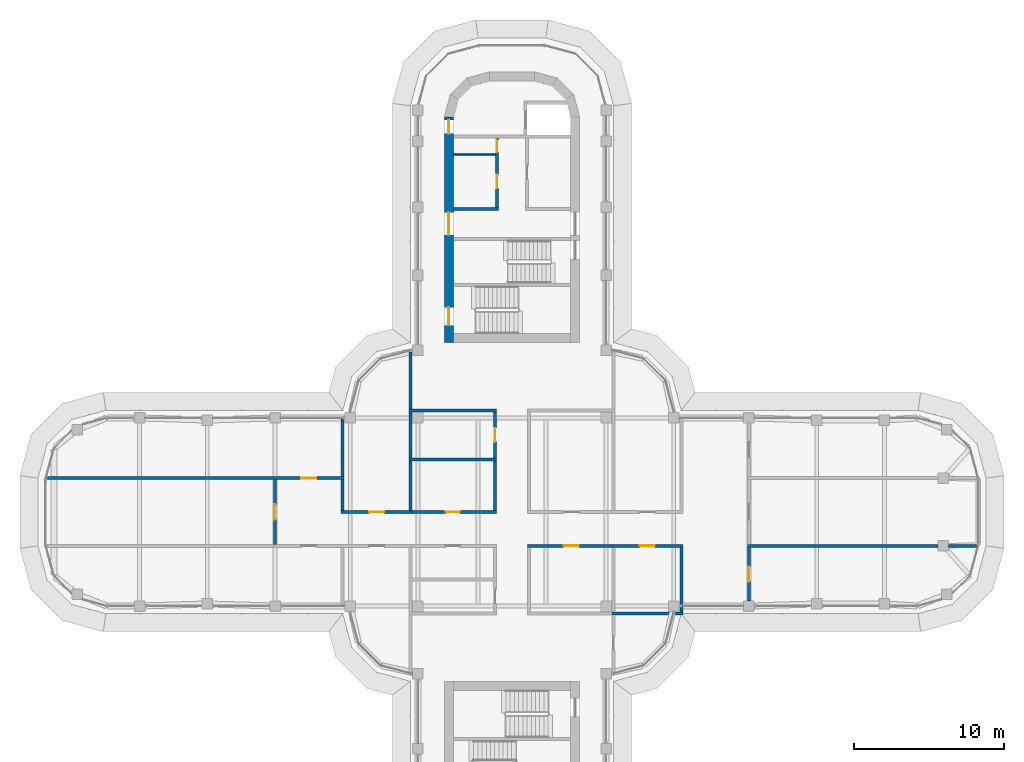
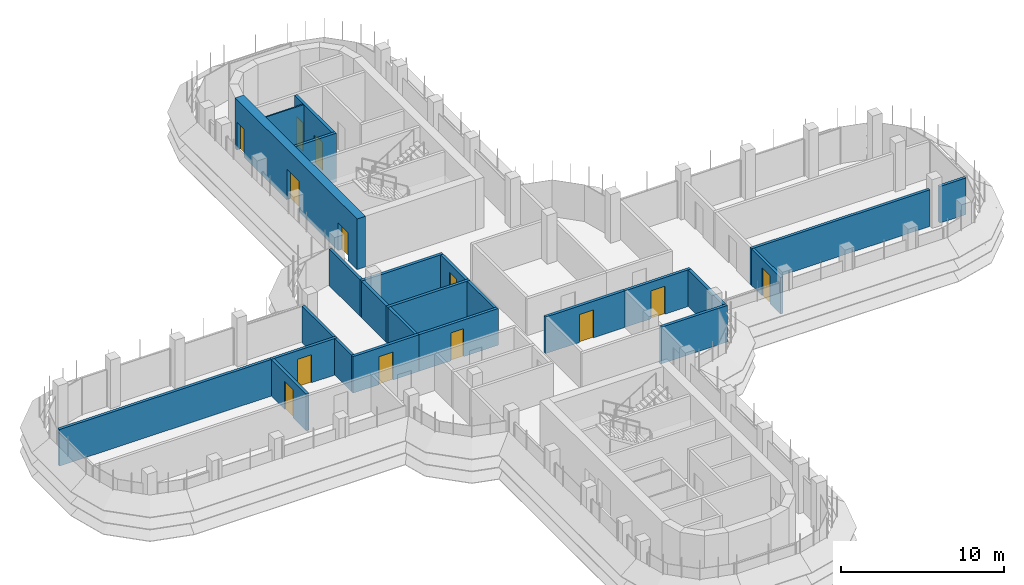
# One storey, part 14 of 19: 25 walls, 13 doors, 13 openings.
"""IFC4 building model written with IfcOpenShell, lengths in metres."""

from ifc_helpers import new_model, si_unit, direction, frame, frame_2d, origin, place, context, subcontext, project, spatial, rectangle, extrude, material, layer, layer_set, type_object, element, fill, save


model = new_model("IFC4")

# Units and contexts
model_context = context("Model", 3, precision=1e-05, world=origin(), true_north=direction((0.0, 1.0)))
body_context = subcontext(model_context, "Body", "Model", "MODEL_VIEW")
ifc_project = project(units=[si_unit("LENGTHUNIT", "METRE"), si_unit("AREAUNIT", "SQUARE_METRE"), si_unit("VOLUMEUNIT", "CUBIC_METRE"), si_unit("PLANEANGLEUNIT", "RADIAN"), si_unit("MASSUNIT", "GRAM", prefix="KILO")], contexts=[model_context])

# Site, building, storey
site_placement = place(None, origin())
site = spatial("IfcSite", under=ifc_project, at=site_placement, CompositionType="ELEMENT")
building_placement = place(site_placement, origin())
building = spatial("IfcBuilding", under=site, at=building_placement, Name="Zarbagh Exchange Tower", CompositionType="ELEMENT")
storey_placement = place(building_placement, frame((0.0, 0.0, 195.39990234375)))
storey = spatial("IfcBuildingStorey", under=building, at=storey_placement, Name="L47", CompositionType="ELEMENT", Elevation=195.39990234375)

# Wall
ifc_material_1 = material(Name="Dense blockwork", Category="masonry")
ifc_layer_1 = layer(ifc_material_1, 0.10009765625)
ifc_layer_set_1 = layer_set([ifc_layer_1], Name="Core partition 100 mm blockwork")
wall_type_1 = type_object("IfcWallType", Name="Core partition 100 mm blockwork", PredefinedType="PARTITIONING", material=ifc_layer_set_1)
wall_1_placement = place(storey_placement, frame((-3.89990234375, 23.75, 0.0), z_axis=(0.0, 0.0, 1.0), x_axis=(1.0, 0.0, 0.0)))
element("IfcWall", 1, at=wall_1_placement, inside=storey, type_object=wall_type_1, Name="North core partition wall CUT-W-460", PredefinedType="PARTITIONING", context=body_context, shape_type="SweptSolid", body=[
    extrude(rectangle(XDim=2.7998046875, YDim=0.10009765625, at=frame_2d((1.39990234375, 0.0))), origin(), (0.0, 0.0, 1.0), 3.650146484375),
])

# Wall, opening, door
ifc_material_2 = material(Name="Fire-rated plasterboard partition")
ifc_layer_2 = layer(ifc_material_2, 0.199951171875)
ifc_layer_set_2 = layer_set([ifc_layer_2], Name="RATED PARTITION 200")
wall_type_2 = type_object("IfcWallType", Name="RATED PARTITION 200", PredefinedType="PARTITIONING", material=ifc_layer_set_2)
wall_2_placement = place(storey_placement, frame((-6.85009765625, 0.0, 0.0), z_axis=(0.0, 0.0, 1.0), x_axis=(1.0, 0.0, 0.0)))
wall_2 = element("IfcWall", 2, at=wall_2_placement, inside=storey, type_object=wall_type_2, Name="Partition W-2103", PredefinedType="PARTITIONING", context=body_context, shape_type="SweptSolid", body=[
    extrude(rectangle(XDim=5.8251953125, YDim=0.199951171875, at=frame_2d((2.91259765625, 0.0))), origin(), (0.0, 0.0, 1.0), 2.75),
])
opening_1_placement = place(wall_2_placement, frame((2.46240234375, 0.0, 0.0)))
opening_1 = element("IfcOpeningElement", 3, at=opening_1_placement, cuts=wall_2, Name="Opening D-2106", PredefinedType="OPENING", context=body_context, shape_type="SweptSolid", body=[
    extrude(rectangle(XDim=0.89990234375, YDim=2.10009765625, at=frame_2d((0.449951171875, 1.050048828125))), frame((0.0, 0.10986328125, 0.0), z_axis=(0.0, -1.0, 0.0), x_axis=(1.0, 0.0, 0.0)), (0.0, 0.0, 1.0), 0.219970703125),
])
ifc_material_3 = material(Name="Timber door leaf", Category="wood")
door_type_1 = type_object("IfcDoorType", Name="DOOR 900 X 2100", OperationType="NOTDEFINED", PredefinedType="DOOR", material=ifc_material_3)
door_1_placement = place(opening_1_placement, origin())
door_1 = element("IfcDoor", 4, at=door_1_placement, inside=storey, type_object=door_type_1, Name="Door D-2106", OperationType="SINGLE_SWING_RIGHT", OverallHeight=2.10009765625, OverallWidth=0.89990234375, PredefinedType="DOOR", context=body_context, shape_type="SweptSolid", body=[
    extrude(rectangle(XDim=0.89990234375, YDim=2.10009765625, at=frame_2d((0.449951171875, 1.050048828125))), frame((0.0, 0.02490234375, 0.0), z_axis=(0.0, -1.0, 0.0), x_axis=(1.0, 0.0, 0.0)), (0.0, 0.0, 1.0), 0.050048828125),
])
fill(opening_1, door_1)

wall_3_placement = place(storey_placement, frame((-11.35009765625, 0.0, 0.0), z_axis=(0.0, 0.0, 1.0), x_axis=(1.0, 0.0, 0.0)))
wall_3 = element("IfcWall", 5, at=wall_3_placement, inside=storey, type_object=wall_type_2, Name="Partition W-2104", PredefinedType="PARTITIONING", context=body_context, shape_type="SweptSolid", body=[
    extrude(rectangle(XDim=4.7001953125, YDim=0.199951171875, at=frame_2d((2.35009765625, 0.0))), origin(), (0.0, 0.0, 1.0), 2.75),
])
opening_2_placement = place(wall_3_placement, frame((1.85009765625, 0.0, 0.0)))
opening_2 = element("IfcOpeningElement", 6, at=opening_2_placement, cuts=wall_3, Name="Opening D-2108", PredefinedType="OPENING", context=body_context, shape_type="SweptSolid", body=[
    extrude(rectangle(XDim=1.0, YDim=2.10009765625, at=frame_2d((0.5, 1.050048828125))), frame((0.0, 0.10986328125, 0.0), z_axis=(0.0, -1.0, 0.0), x_axis=(1.0, 0.0, 0.0)), (0.0, 0.0, 1.0), 0.219970703125),
])
ifc_material_4 = material(Name="Steel door set", Category="steel")
door_type_2 = type_object("IfcDoorType", Name="FIRE DOOR 1000 X 2100 FD30S", OperationType="NOTDEFINED", PredefinedType="DOOR", material=ifc_material_4)
door_2_placement = place(opening_2_placement, origin())
door_2 = element("IfcDoor", 7, at=door_2_placement, inside=storey, type_object=door_type_2, Name="Door D-2108", OperationType="SINGLE_SWING_RIGHT", OverallHeight=2.10009765625, OverallWidth=1.0, PredefinedType="DOOR", context=body_context, shape_type="SweptSolid", body=[
    extrude(rectangle(XDim=1.0, YDim=2.10009765625, at=frame_2d((0.5, 1.050048828125))), frame((0.0, 0.02490234375, 0.0), z_axis=(0.0, -1.0, 0.0), x_axis=(1.0, 0.0, 0.0)), (0.0, 0.0, 1.0), 0.050048828125),
])
fill(opening_2, door_2)

wall_4_placement = place(storey_placement, frame((6.85009765625, -2.25, 0.0), z_axis=(0.0, 0.0, 1.0), x_axis=(-1.0, 0.0, 0.0)))
wall_4 = element("IfcWall", 8, at=wall_4_placement, inside=storey, type_object=wall_type_2, Name="Partition W-2105", PredefinedType="PARTITIONING", context=body_context, shape_type="SweptSolid", body=[
    extrude(rectangle(XDim=5.8251953125, YDim=0.199951171875, at=frame_2d((2.91259765625, 0.0))), origin(), (0.0, 0.0, 1.0), 2.75),
])
opening_3_placement = place(wall_4_placement, frame((2.41259765625, 0.0, 0.0)))
opening_3 = element("IfcOpeningElement", 9, at=opening_3_placement, cuts=wall_4, Name="Opening D-2109", PredefinedType="OPENING", context=body_context, shape_type="SweptSolid", body=[
    extrude(rectangle(XDim=1.0, YDim=2.10009765625, at=frame_2d((0.5, 1.050048828125))), frame((0.0, 0.10986328125, 0.0), z_axis=(0.0, -1.0, 0.0), x_axis=(1.0, 0.0, 0.0)), (0.0, 0.0, 1.0), 0.219970703125),
])
door_3_placement = place(opening_3_placement, origin())
door_3 = element("IfcDoor", 10, at=door_3_placement, inside=storey, type_object=door_type_2, Name="Door D-2109", OperationType="SINGLE_SWING_RIGHT", OverallHeight=2.10009765625, OverallWidth=1.0, PredefinedType="DOOR", context=body_context, shape_type="SweptSolid", body=[
    extrude(rectangle(XDim=1.0, YDim=2.10009765625, at=frame_2d((0.5, 1.050048828125))), frame((0.0, 0.02490234375, 0.0), z_axis=(0.0, -1.0, 0.0), x_axis=(1.0, 0.0, 0.0)), (0.0, 0.0, 1.0), 0.050048828125),
])
fill(opening_3, door_3)

wall_5_placement = place(storey_placement, frame((11.35009765625, -2.25, 0.0), z_axis=(0.0, 0.0, 1.0), x_axis=(-1.0, 0.0, 0.0)))
wall_5 = element("IfcWall", 11, at=wall_5_placement, inside=storey, type_object=wall_type_2, Name="Partition W-2106", PredefinedType="PARTITIONING", context=body_context, shape_type="SweptSolid", body=[
    extrude(rectangle(XDim=4.7001953125, YDim=0.199951171875, at=frame_2d((2.35009765625, 0.0))), origin(), (0.0, 0.0, 1.0), 2.75),
])
opening_4_placement = place(wall_5_placement, frame((1.85009765625, 0.0, 0.0)))
opening_4 = element("IfcOpeningElement", 12, at=opening_4_placement, cuts=wall_5, Name="Opening D-2110", PredefinedType="OPENING", context=body_context, shape_type="SweptSolid", body=[
    extrude(rectangle(XDim=1.0, YDim=2.10009765625, at=frame_2d((0.5, 1.050048828125))), frame((0.0, 0.10986328125, 0.0), z_axis=(0.0, -1.0, 0.0), x_axis=(1.0, 0.0, 0.0)), (0.0, 0.0, 1.0), 0.219970703125),
])
door_4_placement = place(opening_4_placement, origin())
door_4 = element("IfcDoor", 13, at=door_4_placement, inside=storey, type_object=door_type_2, Name="Door D-2110", OperationType="SINGLE_SWING_RIGHT", OverallHeight=2.10009765625, OverallWidth=1.0, PredefinedType="DOOR", context=body_context, shape_type="SweptSolid", body=[
    extrude(rectangle(XDim=1.0, YDim=2.10009765625, at=frame_2d((0.5, 1.050048828125))), frame((0.0, 0.02490234375, 0.0), z_axis=(0.0, -1.0, 0.0), x_axis=(1.0, 0.0, 0.0)), (0.0, 0.0, 1.0), 0.050048828125),
])
fill(opening_4, door_4)

# Wall
wall_6_placement = place(storey_placement, frame((-1.125, 0.10009765625, 0.0), z_axis=(0.0, 0.0, 1.0), x_axis=(0.0, 1.0, 0.0)))
element("IfcWall", 14, at=wall_6_placement, inside=storey, type_object=wall_type_2, Name="Partition W-2110", PredefinedType="PARTITIONING", context=body_context, shape_type="SweptSolid", body=[
    extrude(rectangle(XDim=3.2998046875, YDim=0.199951171875, at=frame_2d((1.64990234375, 0.0))), origin(), (0.0, 0.0, 1.0), 2.75),
])

# Wall, opening, door
wall_7_placement = place(storey_placement, frame((-1.125, 3.60009765625, 0.0), z_axis=(0.0, 0.0, 1.0), x_axis=(0.0, 1.0, 0.0)))
wall_7 = element("IfcWall", 15, at=wall_7_placement, inside=storey, type_object=wall_type_2, Name="Partition W-2111", PredefinedType="PARTITIONING", context=body_context, shape_type="SweptSolid", body=[
    extrude(rectangle(XDim=3.0498046875, YDim=0.199951171875, at=frame_2d((1.52490234375, 0.0))), origin(), (0.0, 0.0, 1.0), 2.75),
])
opening_5_placement = place(wall_7_placement, frame((1.074951171875, 0.0, 0.0)))
opening_5 = element("IfcOpeningElement", 16, at=opening_5_placement, cuts=wall_7, Name="Opening D-2107", PredefinedType="OPENING", context=body_context, shape_type="SweptSolid", body=[
    extrude(rectangle(XDim=0.89990234375, YDim=2.10009765625, at=frame_2d((0.449951171875, 1.050048828125))), frame((0.0, 0.10986328125, 0.0), z_axis=(0.0, -1.0, 0.0), x_axis=(1.0, 0.0, 0.0)), (0.0, 0.0, 1.0), 0.219970703125),
])
door_5_placement = place(opening_5_placement, origin())
door_5 = element("IfcDoor", 17, at=door_5_placement, inside=storey, type_object=door_type_1, Name="Door D-2107", OperationType="SINGLE_SWING_LEFT", OverallHeight=2.10009765625, OverallWidth=0.89990234375, PredefinedType="DOOR", context=body_context, shape_type="SweptSolid", body=[
    extrude(rectangle(XDim=0.89990234375, YDim=2.10009765625, at=frame_2d((0.449951171875, 1.050048828125))), frame((0.0, 0.02490234375, 0.0), z_axis=(0.0, -1.0, 0.0), x_axis=(1.0, 0.0, 0.0)), (0.0, 0.0, 1.0), 0.050048828125),
])
fill(opening_5, door_5)

# Walls
wall_8_placement = place(storey_placement, frame((-6.85009765625, 6.75, 0.0), z_axis=(0.0, 0.0, 1.0), x_axis=(1.0, 0.0, 0.0)))
element("IfcWall", 18, at=wall_8_placement, inside=storey, type_object=wall_type_2, Name="Partition W-2117", PredefinedType="PARTITIONING", context=body_context, shape_type="SweptSolid", body=[
    extrude(rectangle(XDim=5.8251953125, YDim=0.199951171875, at=frame_2d((2.91259765625, 0.0))), origin(), (0.0, 0.0, 1.0), 2.75),
])
wall_9_placement = place(storey_placement, frame((-6.75, 6.85009765625, 0.0), z_axis=(0.0, 0.0, 1.0), x_axis=(0.0, 1.0, 0.0)))
element("IfcWall", 19, at=wall_9_placement, inside=storey, type_object=wall_type_2, Name="Partition W-2118", PredefinedType="PARTITIONING", context=body_context, shape_type="SweptSolid", body=[
    extrude(rectangle(XDim=3.77978515625, YDim=0.199951171875, at=frame_2d((1.889892578125, 0.0))), origin(), (0.0, 0.0, 1.0), 2.75),
])
wall_10_placement = place(storey_placement, frame((-6.85009765625, 3.5, 0.0), z_axis=(0.0, 0.0, 1.0), x_axis=(1.0, 0.0, 0.0)))
element("IfcWall", 20, at=wall_10_placement, inside=storey, type_object=wall_type_2, Name="Partition W-2125", PredefinedType="PARTITIONING", context=body_context, shape_type="SweptSolid", body=[
    extrude(rectangle(XDim=5.8251953125, YDim=0.199951171875, at=frame_2d((2.91259765625, 0.0))), origin(), (0.0, 0.0, 1.0), 2.75),
])
wall_11_placement = place(storey_placement, frame((-6.75, 0.10009765625, 0.0), z_axis=(0.0, 0.0, 1.0), x_axis=(0.0, 1.0, 0.0)))
element("IfcWall", 21, at=wall_11_placement, inside=storey, type_object=wall_type_2, Name="Partition W-2126", PredefinedType="PARTITIONING", context=body_context, shape_type="SweptSolid", body=[
    extrude(rectangle(XDim=3.2998046875, YDim=0.199951171875, at=frame_2d((1.64990234375, 0.0))), origin(), (0.0, 0.0, 1.0), 2.75),
])
wall_12_placement = place(storey_placement, frame((-6.75, 3.60009765625, 0.0), z_axis=(0.0, 0.0, 1.0), x_axis=(0.0, 1.0, 0.0)))
element("IfcWall", 22, at=wall_12_placement, inside=storey, type_object=wall_type_2, Name="Partition W-2127", PredefinedType="PARTITIONING", context=body_context, shape_type="SweptSolid", body=[
    extrude(rectangle(XDim=3.0498046875, YDim=0.199951171875, at=frame_2d((1.52490234375, 0.0))), origin(), (0.0, 0.0, 1.0), 2.75),
])
wall_13_placement = place(storey_placement, frame((-11.25, 0.10009765625, 0.0), z_axis=(0.0, 0.0, 1.0), x_axis=(0.0, 1.0, 0.0)))
element("IfcWall", 23, at=wall_13_placement, inside=storey, type_object=wall_type_2, Name="Partition W-2128", PredefinedType="PARTITIONING", context=body_context, shape_type="SweptSolid", body=[
    extrude(rectangle(XDim=2.0498046875, YDim=0.199951171875, at=frame_2d((1.02490234375, 0.0))), origin(), (0.0, 0.0, 1.0), 2.75),
])
wall_14_placement = place(storey_placement, frame((-11.25, 2.35009765625, 0.0), z_axis=(0.0, 0.0, 1.0), x_axis=(0.0, 1.0, 0.0)))
element("IfcWall", 24, at=wall_14_placement, inside=storey, type_object=wall_type_2, Name="Partition W-2129", PredefinedType="PARTITIONING", context=body_context, shape_type="SweptSolid", body=[
    extrude(rectangle(XDim=3.81982421875, YDim=0.199951171875, at=frame_2d((1.909912109375, 0.0))), origin(), (0.0, 0.0, 1.0), 2.75),
])
wall_15_placement = place(storey_placement, frame((6.64990234375, -6.75, 0.0), z_axis=(0.0, 0.0, 1.0), x_axis=(1.0, 0.0, 0.0)))
element("IfcWall", 25, at=wall_15_placement, inside=storey, type_object=wall_type_2, Name="Partition W-2131", PredefinedType="PARTITIONING", context=body_context, shape_type="SweptSolid", body=[
    extrude(rectangle(XDim=4.7001953125, YDim=0.199951171875, at=frame_2d((2.35009765625, 0.0))), origin(), (0.0, 0.0, 1.0), 2.75),
])
wall_16_placement = place(storey_placement, frame((11.25, -6.64990234375, 0.0), z_axis=(0.0, 0.0, 1.0), x_axis=(0.0, 1.0, 0.0)))
element("IfcWall", 26, at=wall_16_placement, inside=storey, type_object=wall_type_2, Name="Partition W-2132", PredefinedType="PARTITIONING", context=body_context, shape_type="SweptSolid", body=[
    extrude(rectangle(XDim=4.2998046875, YDim=0.199951171875, at=frame_2d((2.14990234375, 0.0))), origin(), (0.0, 0.0, 1.0), 2.75),
])

# Wall, opening, door
wall_17_placement = place(storey_placement, frame((15.75, -2.35009765625, 0.0), z_axis=(0.0, 0.0, 1.0), x_axis=(0.0, -1.0, 0.0)))
wall_17 = element("IfcWall", 27, at=wall_17_placement, inside=storey, type_object=wall_type_2, Name="Partition W-2137", PredefinedType="PARTITIONING", context=body_context, shape_type="SweptSolid", body=[
    extrude(rectangle(XDim=3.5498046875, YDim=0.199951171875, at=frame_2d((1.77490234375, 0.0))), origin(), (0.0, 0.0, 1.0), 2.75),
])
opening_6_placement = place(wall_17_placement, frame((1.27490234375, 0.0, 0.0)))
opening_6 = element("IfcOpeningElement", 28, at=opening_6_placement, cuts=wall_17, Name="Opening D-2101", PredefinedType="OPENING", context=body_context, shape_type="SweptSolid", body=[
    extrude(rectangle(XDim=1.0, YDim=2.10009765625, at=frame_2d((0.5, 1.050048828125))), frame((0.0, 0.10986328125, 0.0), z_axis=(0.0, -1.0, 0.0), x_axis=(1.0, 0.0, 0.0)), (0.0, 0.0, 1.0), 0.219970703125),
])
door_6_placement = place(opening_6_placement, origin())
door_6 = element("IfcDoor", 29, at=door_6_placement, inside=storey, type_object=door_type_2, Name="Door D-2101", OperationType="SINGLE_SWING_LEFT", OverallHeight=2.10009765625, OverallWidth=1.0, PredefinedType="DOOR", context=body_context, shape_type="SweptSolid", body=[
    extrude(rectangle(XDim=1.0, YDim=2.10009765625, at=frame_2d((0.5, 1.050048828125))), frame((0.0, 0.02490234375, 0.0), z_axis=(0.0, -1.0, 0.0), x_axis=(1.0, 0.0, 0.0)), (0.0, 0.0, 1.0), 0.050048828125),
])
fill(opening_6, door_6)

# Walls
wall_18_placement = place(storey_placement, frame((15.64990234375, -2.25, 0.0), z_axis=(0.0, 0.0, 1.0), x_axis=(1.0, 0.0, 0.0)))
element("IfcWall", 30, at=wall_18_placement, inside=storey, type_object=wall_type_2, Name="Partition W-2140", PredefinedType="PARTITIONING", context=body_context, shape_type="SweptSolid", body=[
    extrude(rectangle(XDim=12.670166015625, YDim=0.199951171875, at=frame_2d((6.3349609375, 0.0))), origin(), (0.0, 0.0, 1.0), 2.75),
])
wall_19_placement = place(storey_placement, frame((29.02001953125, -2.25, 0.0), z_axis=(0.0, 0.0, 1.0), x_axis=(1.0, 0.0, 0.0)))
element("IfcWall", 31, at=wall_19_placement, inside=storey, type_object=wall_type_2, Name="Partition W-2141", PredefinedType="PARTITIONING", context=body_context, shape_type="SweptSolid", body=[
    extrude(rectangle(XDim=1.85986328125, YDim=0.199951171875, at=frame_2d((0.929931640625, 0.0))), origin(), (0.0, 0.0, 1.0), 2.75),
])

# Wall, opening, door
wall_20_placement = place(storey_placement, frame((-15.85009765625, 2.25, 0.0), z_axis=(0.0, 0.0, 1.0), x_axis=(1.0, 0.0, 0.0)))
wall_20 = element("IfcWall", 32, at=wall_20_placement, inside=storey, type_object=wall_type_2, Name="Partition W-2144", PredefinedType="PARTITIONING", context=body_context, shape_type="SweptSolid", body=[
    extrude(rectangle(XDim=4.7001953125, YDim=0.199951171875, at=frame_2d((2.35009765625, 0.0))), origin(), (0.0, 0.0, 1.0), 2.75),
])
opening_7_placement = place(wall_20_placement, frame((1.85009765625, 0.0, 0.0)))
opening_7 = element("IfcOpeningElement", 33, at=opening_7_placement, cuts=wall_20, Name="Opening D-2116", PredefinedType="OPENING", context=body_context, shape_type="SweptSolid", body=[
    extrude(rectangle(XDim=1.0, YDim=2.10009765625, at=frame_2d((0.5, 1.050048828125))), frame((0.0, 0.10986328125, 0.0), z_axis=(0.0, -1.0, 0.0), x_axis=(1.0, 0.0, 0.0)), (0.0, 0.0, 1.0), 0.219970703125),
])
door_7_placement = place(opening_7_placement, origin())
door_7 = element("IfcDoor", 34, at=door_7_placement, inside=storey, type_object=door_type_2, Name="Door D-2116", OperationType="SINGLE_SWING_RIGHT", OverallHeight=2.10009765625, OverallWidth=1.0, PredefinedType="DOOR", context=body_context, shape_type="SweptSolid", body=[
    extrude(rectangle(XDim=1.0, YDim=2.10009765625, at=frame_2d((0.5, 1.050048828125))), frame((0.0, 0.02490234375, 0.0), z_axis=(0.0, -1.0, 0.0), x_axis=(1.0, 0.0, 0.0)), (0.0, 0.0, 1.0), 0.050048828125),
])
fill(opening_7, door_7)

wall_21_placement = place(storey_placement, frame((-15.75, -2.14990234375, 0.0), z_axis=(0.0, 0.0, 1.0), x_axis=(0.0, 1.0, 0.0)))
wall_21 = element("IfcWall", 35, at=wall_21_placement, inside=storey, type_object=wall_type_2, Name="Partition W-2146", PredefinedType="PARTITIONING", context=body_context, shape_type="SweptSolid", body=[
    extrude(rectangle(XDim=4.2998046875, YDim=0.199951171875, at=frame_2d((2.14990234375, 0.0))), origin(), (0.0, 0.0, 1.0), 2.75),
])
opening_8_placement = place(wall_21_placement, frame((1.64990234375, 0.0, 0.0)))
opening_8 = element("IfcOpeningElement", 36, at=opening_8_placement, cuts=wall_21, Name="Opening D-2115", PredefinedType="OPENING", context=body_context, shape_type="SweptSolid", body=[
    extrude(rectangle(XDim=1.0, YDim=2.10009765625, at=frame_2d((0.5, 1.050048828125))), frame((0.0, 0.10986328125, 0.0), z_axis=(0.0, -1.0, 0.0), x_axis=(1.0, 0.0, 0.0)), (0.0, 0.0, 1.0), 0.219970703125),
])
door_8_placement = place(opening_8_placement, origin())
door_8 = element("IfcDoor", 37, at=door_8_placement, inside=storey, type_object=door_type_2, Name="Door D-2115", OperationType="SINGLE_SWING_RIGHT", OverallHeight=2.10009765625, OverallWidth=1.0, PredefinedType="DOOR", context=body_context, shape_type="SweptSolid", body=[
    extrude(rectangle(XDim=1.0, YDim=2.10009765625, at=frame_2d((0.5, 1.050048828125))), frame((0.0, 0.02490234375, 0.0), z_axis=(0.0, -1.0, 0.0), x_axis=(1.0, 0.0, 0.0)), (0.0, 0.0, 1.0), 0.050048828125),
])
fill(opening_8, door_8)

# Wall
wall_22_placement = place(storey_placement, frame((-30.8798828125, 2.25, 0.0), z_axis=(0.0, 0.0, 1.0), x_axis=(1.0, 0.0, 0.0)))
element("IfcWall", 38, at=wall_22_placement, inside=storey, type_object=wall_type_2, Name="Partition W-2147", PredefinedType="PARTITIONING", context=body_context, shape_type="SweptSolid", body=[
    extrude(rectangle(XDim=15.22998046875, YDim=0.199951171875, at=frame_2d((7.614990234375, 0.0))), origin(), (0.0, 0.0, 1.0), 2.75),
])

# Wall, openings, doors
ifc_material_5 = material(Name="Concrete C50/60", Category="concrete")
ifc_layer_3 = layer(ifc_material_5, 0.60009765625)
ifc_layer_set_3 = layer_set([ifc_layer_3], Name="RC core wall 600 C50/60")
wall_type_3 = type_object("IfcWallType", Name="RC core wall 600 C50/60", PredefinedType="SHEAR", material=ifc_layer_set_3)
wall_23_placement = place(storey_placement, frame((-4.199951171875, 11.25, 0.0), z_axis=(0.0, 0.0, 1.0), x_axis=(0.0, 1.0, 0.0)))
wall_23 = element("IfcWall", 39, at=wall_23_placement, inside=storey, type_object=wall_type_3, Name="CW7 core N W", PredefinedType="SHEAR", context=body_context, shape_type="SweptSolid", body=[
    extrude(rectangle(XDim=15.0, YDim=0.60009765625, at=frame_2d((7.5, 0.0))), origin(), (0.0, 0.0, 1.0), 3.800048828125),
])
opening_9_placement = place(wall_23_placement, frame((7.14990234375, 0.0, 0.0)))
opening_9 = element("IfcOpeningElement", 40, at=opening_9_placement, cuts=wall_23, Name="Opening CD1-1500", PredefinedType="OPENING", context=body_context, shape_type="SweptSolid", body=[
    extrude(rectangle(XDim=1.5, YDim=2.300048828125, at=frame_2d((0.75, 1.14990234375))), frame((0.0, 0.31005859375, 0.0), z_axis=(0.0, -1.0, 0.0), x_axis=(1.0, 0.0, 0.0)), (0.0, 0.0, 1.0), 0.6201171875),
])
opening_10_placement = place(wall_23_placement, frame((13.89990234375, 0.0, 0.0)))
opening_10 = element("IfcOpeningElement", 41, at=opening_10_placement, cuts=wall_23, Name="Opening CD2-900", PredefinedType="OPENING", context=body_context, shape_type="SweptSolid", body=[
    extrude(rectangle(XDim=0.89990234375, YDim=2.10009765625, at=frame_2d((0.449951171875, 1.050048828125))), frame((0.0, 0.31005859375, 0.0), z_axis=(0.0, -1.0, 0.0), x_axis=(1.0, 0.0, 0.0)), (0.0, 0.0, 1.0), 0.6201171875),
])
opening_11_placement = place(wall_23_placement, frame((1.14990234375, 0.0, 0.0)))
opening_11 = element("IfcOpeningElement", 42, at=opening_11_placement, cuts=wall_23, Name="Opening SD1-1200", PredefinedType="OPENING", context=body_context, shape_type="SweptSolid", body=[
    extrude(rectangle(XDim=1.199951171875, YDim=2.10009765625, at=frame_2d((0.60009765625, 1.050048828125))), frame((0.0, 0.31005859375, 0.0), z_axis=(0.0, -1.0, 0.0), x_axis=(1.0, 0.0, 0.0)), (0.0, 0.0, 1.0), 0.6201171875),
])
ifc_material_6 = material(Name="Steel", Category="steel")
door_type_3 = type_object("IfcDoorType", Name="Exit stair door 1200 x 2100", OperationType="NOTDEFINED", PredefinedType="DOOR", material=ifc_material_6)
door_9_placement = place(opening_11_placement, origin())
door_9 = element("IfcDoor", 43, at=door_9_placement, inside=storey, type_object=door_type_3, Name="North core stair door ST2", OperationType="SINGLE_SWING_LEFT", OverallHeight=2.10009765625, OverallWidth=1.199951171875, PredefinedType="DOOR", context=body_context, shape_type="SweptSolid", body=[
    extrude(rectangle(XDim=1.199951171875, YDim=2.10009765625, at=frame_2d((0.60009765625, 1.050048828125))), frame((0.0, 0.02490234375, 0.0), z_axis=(0.0, -1.0, 0.0), x_axis=(1.0, 0.0, 0.0)), (0.0, 0.0, 1.0), 0.050048828125),
])
fill(opening_11, door_9)
door_type_4 = type_object("IfcDoorType", Name="Firefighting lobby door 900 x 2100", OperationType="NOTDEFINED", PredefinedType="DOOR", material=ifc_material_6)
door_10_placement = place(opening_10_placement, origin())
door_10 = element("IfcDoor", 44, at=door_10_placement, inside=storey, type_object=door_type_4, Name="North core firefighting lobby door FF-W", OperationType="SINGLE_SWING_RIGHT", OverallHeight=2.10009765625, OverallWidth=0.89990234375, PredefinedType="DOOR", context=body_context, shape_type="SweptSolid", body=[
    extrude(rectangle(XDim=0.89990234375, YDim=2.10009765625, at=frame_2d((0.449951171875, 1.050048828125))), frame((0.0, 0.02490234375, 0.0), z_axis=(0.0, -1.0, 0.0), x_axis=(1.0, 0.0, 0.0)), (0.0, 0.0, 1.0), 0.050048828125),
])
fill(opening_10, door_10)
door_type_5 = type_object("IfcDoorType", Name="Lift lobby double door 1500 x 2300", OperationType="NOTDEFINED", PredefinedType="DOOR", material=ifc_material_6)
door_11_placement = place(opening_9_placement, origin())
door_11 = element("IfcDoor", 45, at=door_11_placement, inside=storey, type_object=door_type_5, Name="North core lift lobby door LOBBY-W", OperationType="DOUBLE_DOOR_SINGLE_SWING", OverallHeight=2.300048828125, OverallWidth=1.5, PredefinedType="DOOR", context=body_context, shape_type="SweptSolid", body=[
    extrude(rectangle(XDim=1.5, YDim=2.300048828125, at=frame_2d((0.75, 1.14990234375))), frame((0.0, 0.02490234375, 0.0), z_axis=(0.0, -1.0, 0.0), x_axis=(1.0, 0.0, 0.0)), (0.0, 0.0, 1.0), 0.050048828125),
])
fill(opening_9, door_11)

# Wall
ifc_layer_4 = layer(ifc_material_1, 0.199951171875)
ifc_layer_set_4 = layer_set([ifc_layer_4], Name="Shaft wall 200 mm blockwork")
wall_type_4 = type_object("IfcWallType", Name="Shaft wall 200 mm blockwork", PredefinedType="PARTITIONING", material=ifc_layer_set_4)
wall_24_placement = place(storey_placement, frame((-3.89990234375, 20.14990234375, 0.0), z_axis=(0.0, 0.0, 1.0), x_axis=(1.0, 0.0, 0.0)))
element("IfcWall", 46, at=wall_24_placement, inside=storey, type_object=wall_type_4, Name="North core shaft wall AB-W", PredefinedType="PARTITIONING", context=body_context, shape_type="SweptSolid", body=[
    extrude(rectangle(XDim=3.0, YDim=0.199951171875, at=frame_2d((1.5, 0.0))), origin(), (0.0, 0.0, 1.0), 3.650146484375),
])

# Wall, openings, doors
wall_25_placement = place(storey_placement, frame((-1.0, 24.85009765625, 0.0), z_axis=(0.0, 0.0, 1.0), x_axis=(0.0, -1.0, 0.0)))
wall_25 = element("IfcWall", 47, at=wall_25_placement, inside=storey, type_object=wall_type_4, Name="North core shaft wall LW-W", PredefinedType="PARTITIONING", context=body_context, shape_type="SweptSolid", body=[
    extrude(rectangle(XDim=4.60009765625, YDim=0.199951171875, at=frame_2d((2.300048828125, 0.0))), origin(), (0.0, 0.0, 1.0), 3.650146484375),
])
opening_12_placement = place(wall_25_placement, frame((0.125, 0.0, 0.0)))
opening_12 = element("IfcOpeningElement", 48, at=opening_12_placement, cuts=wall_25, Name="Opening CD3-800", PredefinedType="OPENING", context=body_context, shape_type="SweptSolid", body=[
    extrude(rectangle(XDim=0.800048828125, YDim=2.10009765625, at=frame_2d((0.39990234375, 1.050048828125))), frame((0.0, 0.10986328125, 0.0), z_axis=(0.0, -1.0, 0.0), x_axis=(1.0, 0.0, 0.0)), (0.0, 0.0, 1.0), 0.219970703125),
])
opening_13_placement = place(wall_25_placement, frame((2.425048828125, 0.0, 0.0)))
opening_13 = element("IfcOpeningElement", 49, at=opening_13_placement, cuts=wall_25, Name="Opening CD3-900", PredefinedType="OPENING", context=body_context, shape_type="SweptSolid", body=[
    extrude(rectangle(XDim=0.89990234375, YDim=2.10009765625, at=frame_2d((0.449951171875, 1.050048828125))), frame((0.0, 0.10986328125, 0.0), z_axis=(0.0, -1.0, 0.0), x_axis=(1.0, 0.0, 0.0)), (0.0, 0.0, 1.0), 0.219970703125),
])
door_type_6 = type_object("IfcDoorType", Name="Core room door 800 x 2100", OperationType="NOTDEFINED", PredefinedType="DOOR", material=ifc_material_6)
door_12_placement = place(opening_12_placement, origin())
door_12 = element("IfcDoor", 50, at=door_12_placement, inside=storey, type_object=door_type_6, Name="North core Store door RD-W-0", OperationType="SINGLE_SWING_RIGHT", OverallHeight=2.10009765625, OverallWidth=0.800048828125, PredefinedType="DOOR", context=body_context, shape_type="SweptSolid", body=[
    extrude(rectangle(XDim=0.800048828125, YDim=2.10009765625, at=frame_2d((0.39990234375, 1.050048828125))), frame((0.0, 0.02490234375, 0.0), z_axis=(0.0, -1.0, 0.0), x_axis=(1.0, 0.0, 0.0)), (0.0, 0.0, 1.0), 0.050048828125),
])
fill(opening_12, door_12)
door_type_7 = type_object("IfcDoorType", Name="Core room door 900 x 2100", OperationType="NOTDEFINED", PredefinedType="DOOR", material=ifc_material_6)
door_13_placement = place(opening_13_placement, origin())
door_13 = element("IfcDoor", 51, at=door_13_placement, inside=storey, type_object=door_type_7, Name="North core Accessible WC door RD-W-1", OperationType="SINGLE_SWING_RIGHT", OverallHeight=2.10009765625, OverallWidth=0.89990234375, PredefinedType="DOOR", context=body_context, shape_type="SweptSolid", body=[
    extrude(rectangle(XDim=0.89990234375, YDim=2.10009765625, at=frame_2d((0.449951171875, 1.050048828125))), frame((0.0, 0.02490234375, 0.0), z_axis=(0.0, -1.0, 0.0), x_axis=(1.0, 0.0, 0.0)), (0.0, 0.0, 1.0), 0.050048828125),
])
fill(opening_13, door_13)

save(model, "model.ifc")
